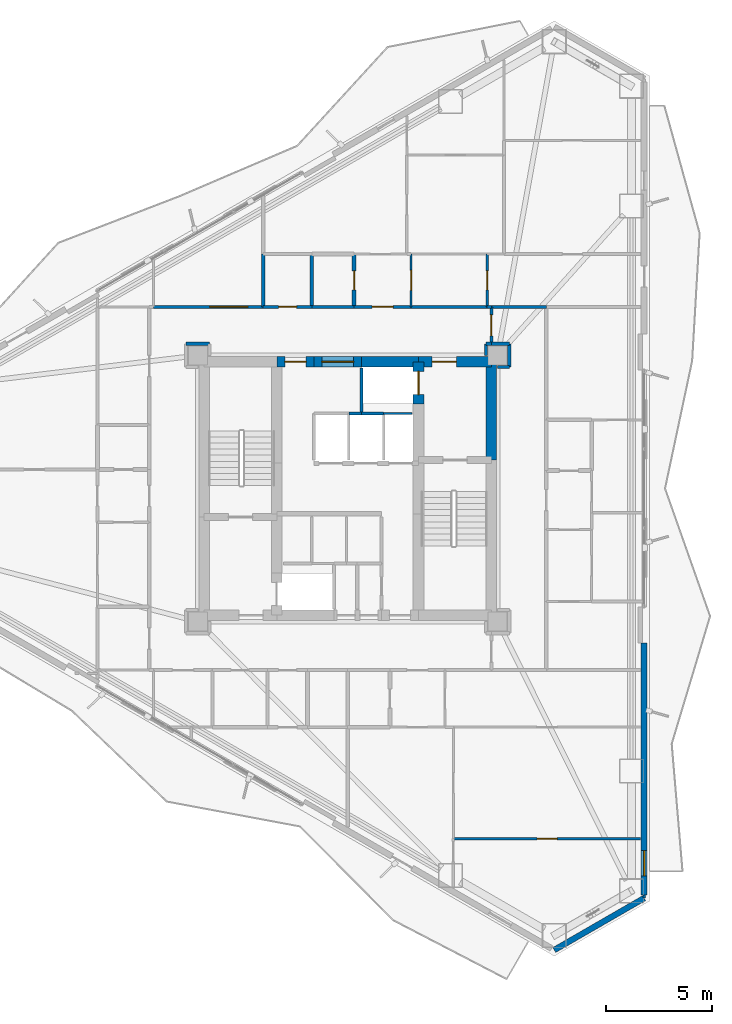
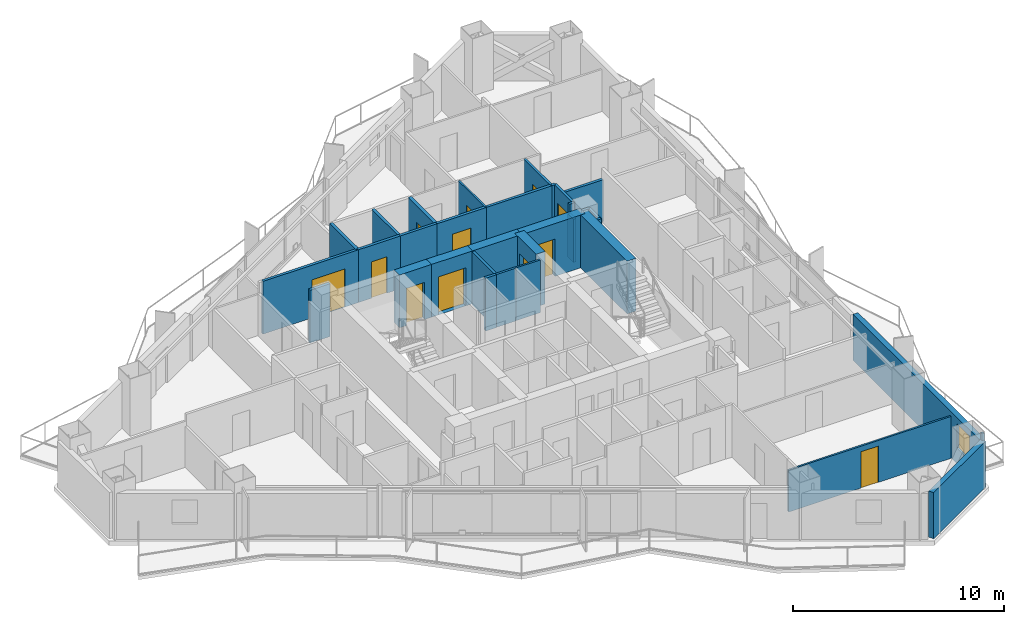
# One storey, part 18 of 23: 33 walls, 12 doors, 1 window, 13 openings.
"""IFC4 building model written with IfcOpenShell, lengths in metres."""

from ifc_helpers import new_model, si_unit, direction, frame, frame_2d, origin, place, context, subcontext, project, spatial, rectangle, extrude, material, layer, layer_set, type_object, element, fill, save


model = new_model("IFC4")

# Units and contexts
model_context = context("Model", 3, precision=1e-05, world=origin(), true_north=direction((0.0, 1.0)))
body_context = subcontext(model_context, "Body", "Model", "MODEL_VIEW")
ifc_project = project(units=[si_unit("LENGTHUNIT", "METRE"), si_unit("AREAUNIT", "SQUARE_METRE"), si_unit("VOLUMEUNIT", "CUBIC_METRE"), si_unit("PLANEANGLEUNIT", "RADIAN"), si_unit("MASSUNIT", "GRAM", prefix="KILO")], contexts=[model_context])

# Site, building, storey
site_placement = place(None, origin())
site = spatial("IfcSite", under=ifc_project, at=site_placement, CompositionType="ELEMENT")
building_placement = place(site_placement, origin())
building = spatial("IfcBuilding", under=site, at=building_placement, Name="Mersakhor Tower and Convention Hall", CompositionType="ELEMENT")
storey_placement = place(building_placement, frame((0.0, 0.0, 73.5)))
storey = spatial("IfcBuildingStorey", under=building, at=storey_placement, Name="L19", CompositionType="ELEMENT", Elevation=73.5)

# Wall
ifc_material_1 = material(Name="Precast concrete C45/55", Category="concrete")
ifc_layer_1 = layer(ifc_material_1, 0.27490234375)
ifc_layer_set_1 = layer_set([ifc_layer_1], Name="Precast concrete C45/55")
wall_type_1 = type_object("IfcWallType", Name="WL-EXT-275", PredefinedType="SOLIDWALL", material=ifc_layer_set_1)
wall_1_placement = place(storey_placement, frame((43.03466796875, 7.355712890625, 0.0), z_axis=(0.0, 0.0, 1.0), x_axis=(-0.866011848704, -0.500023477353, 0.0)))
element("IfcWall", 1, at=wall_1_placement, inside=storey, type_object=wall_type_1, Name="L19 Chamfer Braced Spandrel Wall C2", PredefinedType="SOLIDWALL", context=body_context, shape_type="SweptSolid", body=[
    extrude(rectangle(XDim=4.914306640625, YDim=0.27490234375, at=frame_2d((2.45703125, 0.0))), origin(), (0.0, 0.0, 1.0), 2.669921875),
])

# Wall, opening, window
wall_2_placement = place(storey_placement, frame((43.03466796875, 19.435302734375, 0.0), z_axis=(0.0, 0.0, 1.0), x_axis=(0.0, -1.0, 0.0)))
wall_2 = element("IfcWall", 2, at=wall_2_placement, inside=storey, type_object=wall_type_1, Name="L19 Exterior Facade Wall F2-B3", PredefinedType="SOLIDWALL", context=body_context, shape_type="SweptSolid", body=[
    extrude(rectangle(XDim=11.9296875, YDim=0.27490234375, at=frame_2d((5.96484375, 0.0))), origin(), (0.0, 0.0, 1.0), 2.669921875),
])
opening_1_placement = place(wall_2_placement, frame((9.825927734375, 0.0, 0.89990234375)))
opening_1 = element("IfcOpeningElement", 3, at=opening_1_placement, cuts=wall_2, Name="Opening W-01", PredefinedType="OPENING", context=body_context, shape_type="SweptSolid", body=[
    extrude(rectangle(XDim=1.199951171875, YDim=1.39990234375, at=frame_2d((0.60009765625, 0.699951171875))), frame((0.0, 0.1474609375, 0.0), z_axis=(0.0, -1.0, 0.0), x_axis=(1.0, 0.0, 0.0)), (0.0, 0.0, 1.0), 0.294921875),
])
ifc_material_2 = material(Name="Dark solar low-E glazed aluminium window", Category="aluminium")
window_type = type_object("IfcWindowType", Name="WN-RES-120x150", PartitioningType="SINGLE_PANEL", PredefinedType="WINDOW", material=ifc_material_2)
window_placement = place(opening_1_placement, origin())
window = element("IfcWindow", 4, at=window_placement, inside=storey, type_object=window_type, Name="L19 Bedroom Facade Window F2-B3-1", OverallHeight=1.39990234375, OverallWidth=1.199951171875, PartitioningType="SINGLE_PANEL", PredefinedType="WINDOW", context=body_context, shape_type="SweptSolid", body=[
    extrude(rectangle(XDim=1.199951171875, YDim=1.39990234375, at=frame_2d((0.60009765625, 0.699951171875))), frame((0.0, 0.030029296875, 0.0), z_axis=(0.0, -1.0, 0.0), x_axis=(1.0, 0.0, 0.0)), (0.0, 0.0, 1.0), 0.06005859375),
])
fill(opening_1, window)

# Wall, opening, door
ifc_material_3 = material(Name="Moisture-resistant acoustic drywall studwork", Category="other")
ifc_layer_2 = layer(ifc_material_3, 0.175048828125)
ifc_layer_set_2 = layer_set([ifc_layer_2], Name="Moisture-resistant acoustic drywall studwork")
wall_type_2 = type_object("IfcWallType", Name="WL-PLM-175", PredefinedType="PLUMBINGWALL", material=ifc_layer_set_2)
wall_3_placement = place(storey_placement, frame((29.300048828125, 35.35009765625, 0.0), z_axis=(0.0, 0.0, 1.0), x_axis=(0.0, 1.0, 0.0)))
wall_3 = element("IfcWall", 5, at=wall_3_placement, inside=storey, type_object=wall_type_2, Name="L19 Interior Partition Wall P-069", PredefinedType="PLUMBINGWALL", context=body_context, shape_type="SweptSolid", body=[
    extrude(rectangle(XDim=2.5, YDim=0.175048828125, at=frame_2d((1.25, 0.0))), origin(), (0.0, 0.0, 1.0), 3.050048828125),
])
opening_2_placement = place(wall_3_placement, frame((0.800048828125, 0.0, 0.0)))
opening_2 = element("IfcOpeningElement", 6, at=opening_2_placement, cuts=wall_3, Name="Opening WD-01", PredefinedType="OPENING", context=body_context, shape_type="SweptSolid", body=[
    extrude(rectangle(XDim=0.89990234375, YDim=2.10009765625, at=frame_2d((0.449951171875, 1.050048828125))), frame((0.0, 0.097412109375, 0.0), z_axis=(0.0, -1.0, 0.0), x_axis=(1.0, 0.0, 0.0)), (0.0, 0.0, 1.0), 0.195068359375),
])
ifc_material_4 = material(Name="Solid-core hardwood leaf in painted steel frame", Category="steel")
door_type_1 = type_object("IfcDoorType", Name="DR-INT-WET-090x210", OperationType="NOTDEFINED", PredefinedType="DOOR", material=ifc_material_4)
door_1_placement = place(opening_2_placement, origin())
door_1 = element("IfcDoor", 7, at=door_1_placement, inside=storey, type_object=door_type_1, Name="L19 L19 Flat N1 Apartment Hall to L19 Flat N1 Bathroom Door", OperationType="SINGLE_SWING_LEFT", OverallHeight=2.10009765625, OverallWidth=0.89990234375, PredefinedType="DOOR", context=body_context, shape_type="SweptSolid", body=[
    extrude(rectangle(XDim=0.89990234375, YDim=2.10009765625, at=frame_2d((0.449951171875, 1.050048828125))), frame((0.0, 0.02490234375, 0.0), z_axis=(0.0, -1.0, 0.0), x_axis=(1.0, 0.0, 0.0)), (0.0, 0.0, 1.0), 0.050048828125),
])
fill(opening_2, door_1)

# Walls
wall_4_placement = place(storey_placement, frame((25.0, 35.35009765625, 0.0), z_axis=(0.0, 0.0, 1.0), x_axis=(0.0, 1.0, 0.0)))
element("IfcWall", 8, at=wall_4_placement, inside=storey, type_object=wall_type_2, Name="L19 Interior Partition Wall P-082", PredefinedType="PLUMBINGWALL", context=body_context, shape_type="SweptSolid", body=[
    extrude(rectangle(XDim=2.5, YDim=0.175048828125, at=frame_2d((1.25, 0.0))), origin(), (0.0, 0.0, 1.0), 3.050048828125),
])
ifc_material_5 = material(Name="Lightweight gypsum partition", Category="other")
ifc_layer_3 = layer(ifc_material_5, 0.10009765625)
ifc_layer_set_3 = layer_set([ifc_layer_3], Name="Lightweight gypsum partition")
wall_type_3 = type_object("IfcWallType", Name="WL-PRT-100", PredefinedType="PARTITIONING", material=ifc_layer_set_3)
wall_5_placement = place(storey_placement, frame((32.050048828125, 30.300048828125, 0.0), z_axis=(0.0, 0.0, 1.0), x_axis=(-1.0, 0.0, 0.0)))
element("IfcWall", 9, at=wall_5_placement, inside=storey, type_object=wall_type_3, Name="L19 Interior Partition Wall P-004", PredefinedType="PARTITIONING", context=body_context, shape_type="SweptSolid", body=[
    extrude(rectangle(XDim=1.35009765625, YDim=0.10009765625, at=frame_2d((0.675048828125, 0.0))), origin(), (0.0, 0.0, 1.0), 3.050048828125),
])

# Wall, opening, door
wall_6_placement = place(storey_placement, frame((32.0, 37.85009765625, 0.0), z_axis=(0.0, 0.0, 1.0), x_axis=(0.0, -1.0, 0.0)))
wall_6 = element("IfcWall", 10, at=wall_6_placement, inside=storey, type_object=wall_type_3, Name="L19 Interior Partition Wall P-068", PredefinedType="PARTITIONING", context=body_context, shape_type="SweptSolid", body=[
    extrude(rectangle(XDim=2.5, YDim=0.10009765625, at=frame_2d((1.25, 0.0))), origin(), (0.0, 0.0, 1.0), 3.050048828125),
])
opening_3_placement = place(wall_6_placement, frame((0.77490234375, 0.0, 0.0)))
opening_3 = element("IfcOpeningElement", 11, at=opening_3_placement, cuts=wall_6, Name="Opening RD-01", PredefinedType="OPENING", context=body_context, shape_type="SweptSolid", body=[
    extrude(rectangle(XDim=0.949951171875, YDim=2.10009765625, at=frame_2d((0.47509765625, 1.050048828125))), frame((0.0, 0.06005859375, 0.0), z_axis=(0.0, -1.0, 0.0), x_axis=(1.0, 0.0, 0.0)), (0.0, 0.0, 1.0), 0.1201171875),
])
ifc_material_6 = material(Name="Solid-core hardwood leaf in painted steel frame", Category="steel")
door_type_2 = type_object("IfcDoorType", Name="DR-INT-RM-095x210", OperationType="NOTDEFINED", PredefinedType="DOOR", material=ifc_material_6)
door_2_placement = place(opening_3_placement, origin())
door_2 = element("IfcDoor", 12, at=door_2_placement, inside=storey, type_object=door_type_2, Name="L19 L19 Flat N1 Apartment Hall to L19 Flat N1 Kitchen Door", OperationType="SINGLE_SWING_RIGHT", OverallHeight=2.10009765625, OverallWidth=0.949951171875, PredefinedType="DOOR", context=body_context, shape_type="SweptSolid", body=[
    extrude(rectangle(XDim=0.949951171875, YDim=2.10009765625, at=frame_2d((0.47509765625, 1.050048828125))), frame((0.0, 0.02490234375, 0.0), z_axis=(0.0, -1.0, 0.0), x_axis=(1.0, 0.0, 0.0)), (0.0, 0.0, 1.0), 0.050048828125),
])
fill(opening_3, door_2)

wall_7_placement = place(storey_placement, frame((34.0, 10.169921875, 0.0), z_axis=(0.0, 0.0, 1.0), x_axis=(1.0, 0.0, 0.0)))
wall_7 = element("IfcWall", 13, at=wall_7_placement, inside=storey, type_object=wall_type_3, Name="L19 Interior Partition Wall P-130", PredefinedType="PARTITIONING", context=body_context, shape_type="SweptSolid", body=[
    extrude(rectangle(XDim=8.873046875, YDim=0.10009765625, at=frame_2d((4.4365234375, 0.0))), origin(), (0.0, 0.0, 1.0), 2.4228515625),
])
opening_4_placement = place(wall_7_placement, frame((3.961669921875, 0.0, 0.0)))
opening_4 = element("IfcOpeningElement", 14, at=opening_4_placement, cuts=wall_7, Name="Opening RD-01", PredefinedType="OPENING", context=body_context, shape_type="SweptSolid", body=[
    extrude(rectangle(XDim=0.949951171875, YDim=2.10009765625, at=frame_2d((0.47509765625, 1.050048828125))), frame((0.0, 0.06005859375, 0.0), z_axis=(0.0, -1.0, 0.0), x_axis=(1.0, 0.0, 0.0)), (0.0, 0.0, 1.0), 0.1201171875),
])
door_3_placement = place(opening_4_placement, origin())
door_3 = element("IfcDoor", 15, at=door_3_placement, inside=storey, type_object=door_type_2, Name="L19 L19 Flat S3 Bedroom 1 to L19 Flat S3 Dining Room Door", OperationType="SINGLE_SWING_LEFT", OverallHeight=2.10009765625, OverallWidth=0.949951171875, PredefinedType="DOOR", context=body_context, shape_type="SweptSolid", body=[
    extrude(rectangle(XDim=0.949951171875, YDim=2.10009765625, at=frame_2d((0.47509765625, 1.050048828125))), frame((0.0, 0.02490234375, 0.0), z_axis=(0.0, -1.0, 0.0), x_axis=(1.0, 0.0, 0.0)), (0.0, 0.0, 1.0), 0.050048828125),
])
fill(opening_4, door_3)

# Wall
ifc_material_7 = material(Name="Gypsum board acoustic partition", Category="other")
ifc_layer_4 = layer(ifc_material_7, 0.125)
ifc_layer_set_4 = layer_set([ifc_layer_4], Name="Gypsum board acoustic partition")
wall_type_4 = type_object("IfcWallType", Name="WL-PRT-125", PredefinedType="PARTITIONING", material=ifc_layer_set_4)
wall_8_placement = place(storey_placement, frame((30.699951171875, 30.300048828125, 0.0), z_axis=(0.0, 0.0, 1.0), x_axis=(-1.0, 0.0, 0.0)))
element("IfcWall", 16, at=wall_8_placement, inside=storey, type_object=wall_type_4, Name="L19 Interior Partition Wall P-005", PredefinedType="PARTITIONING", context=body_context, shape_type="SweptSolid", body=[
    extrude(rectangle(XDim=1.050048828125, YDim=0.125, at=frame_2d((0.52490234375, 0.0))), origin(), (0.0, 0.0, 1.0), 3.050048828125),
])

# Wall, opening, door
wall_9_placement = place(storey_placement, frame((35.60009765625, 37.85009765625, 0.0), z_axis=(0.0, 0.0, 1.0), x_axis=(0.0, -1.0, 0.0)))
wall_9 = element("IfcWall", 17, at=wall_9_placement, inside=storey, type_object=wall_type_4, Name="L19 Interior Partition Wall P-085", PredefinedType="PARTITIONING", context=body_context, shape_type="SweptSolid", body=[
    extrude(rectangle(XDim=2.5, YDim=0.125, at=frame_2d((1.25, 0.0))), origin(), (0.0, 0.0, 1.0), 3.050048828125),
])
opening_5_placement = place(wall_9_placement, frame((0.800048828125, 0.0, 0.0)))
opening_5 = element("IfcOpeningElement", 18, at=opening_5_placement, cuts=wall_9, Name="Opening WD-01", PredefinedType="OPENING", context=body_context, shape_type="SweptSolid", body=[
    extrude(rectangle(XDim=0.89990234375, YDim=2.10009765625, at=frame_2d((0.449951171875, 1.050048828125))), frame((0.0, 0.072509765625, 0.0), z_axis=(0.0, -1.0, 0.0), x_axis=(1.0, 0.0, 0.0)), (0.0, 0.0, 1.0), 0.14501953125),
])
door_4_placement = place(opening_5_placement, origin())
door_4 = element("IfcDoor", 19, at=door_4_placement, inside=storey, type_object=door_type_1, Name="L19 L19 Flat N1 Kitchen to L19 Flat N1 Study Room Door", OperationType="SINGLE_SWING_RIGHT", OverallHeight=2.10009765625, OverallWidth=0.89990234375, PredefinedType="DOOR", context=body_context, shape_type="SweptSolid", body=[
    extrude(rectangle(XDim=0.89990234375, YDim=2.10009765625, at=frame_2d((0.449951171875, 1.050048828125))), frame((0.0, 0.02490234375, 0.0), z_axis=(0.0, -1.0, 0.0), x_axis=(1.0, 0.0, 0.0)), (0.0, 0.0, 1.0), 0.050048828125),
])
fill(opening_5, door_4)

# Walls
wall_10_placement = place(storey_placement, frame((43.034912109375, 7.505615234375, 0.0), z_axis=(0.0, 0.0, 1.0), x_axis=(0.0, -1.0, 0.0)))
element("IfcWall", 20, at=wall_10_placement, inside=storey, type_object=wall_type_4, Name="L19 Interior Partition Wall P-131", PredefinedType="PARTITIONING", context=body_context, shape_type="SweptSolid", body=[
    extrude(rectangle(XDim=0.149658203125, YDim=0.125, at=frame_2d((0.07470703125, 0.0))), origin(), (0.0, 0.0, 1.0), 3.050048828125),
])
ifc_material_8 = material(Name="Fire-rated gypsum board stud partition", Category="other")
ifc_layer_5 = layer(ifc_material_8, 0.14990234375)
ifc_layer_set_5 = layer_set([ifc_layer_5], Name="Fire-rated gypsum board stud partition")
wall_type_5 = type_object("IfcWallType", Name="WL-PRT-150", PredefinedType="PARTITIONING", material=ifc_layer_set_5)
wall_11_placement = place(storey_placement, frame((29.64990234375, 30.300048828125, 0.0), z_axis=(0.0, 0.0, 1.0), x_axis=(0.0, 1.0, 0.0)))
element("IfcWall", 21, at=wall_11_placement, inside=storey, type_object=wall_type_5, Name="L19 Interior Partition Wall P-006", PredefinedType="PARTITIONING", context=body_context, shape_type="SweptSolid", body=[
    extrude(rectangle(XDim=2.14990234375, YDim=0.14990234375, at=frame_2d((1.074951171875, 0.0))), origin(), (0.0, 0.0, 1.0), 3.050048828125),
])
wall_12_placement = place(storey_placement, frame((29.050048828125, 30.300048828125, 0.0), z_axis=(0.0, 0.0, 1.0), x_axis=(1.0, 0.0, 0.0)))
element("IfcWall", 22, at=wall_12_placement, inside=storey, type_object=wall_type_5, Name="L19 Interior Partition Wall P-016", PredefinedType="PARTITIONING", context=body_context, shape_type="SweptSolid", body=[
    extrude(rectangle(XDim=0.599853515625, YDim=0.14990234375, at=frame_2d((0.2998046875, 0.0))), origin(), (0.0, 0.0, 1.0), 3.050048828125),
])

# Wall, opening, door
wall_13_placement = place(storey_placement, frame((19.800048828125, 35.35009765625, 0.0), z_axis=(0.0, 0.0, 1.0), x_axis=(1.0, 0.0, 0.0)))
wall_13 = element("IfcWall", 23, at=wall_13_placement, inside=storey, type_object=wall_type_5, Name="L19 Interior Partition Wall P-038", PredefinedType="PARTITIONING", context=body_context, shape_type="SweptSolid", body=[
    extrude(rectangle(XDim=5.199951171875, YDim=0.14990234375, at=frame_2d((2.60009765625, 0.0))), origin(), (0.0, 0.0, 1.0), 3.050048828125),
])
opening_6_placement = place(wall_13_placement, frame((2.672119140625, 0.0, 0.0)))
opening_6 = element("IfcOpeningElement", 24, at=opening_6_placement, cuts=wall_13, Name="Opening HD-01", PredefinedType="OPENING", context=body_context, shape_type="SweptSolid", body=[
    extrude(rectangle(XDim=1.800048828125, YDim=2.199951171875, at=frame_2d((0.89990234375, 1.10009765625))), frame((0.0, 0.0849609375, 0.0), z_axis=(0.0, -1.0, 0.0), x_axis=(1.0, 0.0, 0.0)), (0.0, 0.0, 1.0), 0.169921875),
])
ifc_material_9 = material(Name="Fire-rated hardwood leaf and painted steel frame", Category="steel")
door_type_3 = type_object("IfcDoorType", Name="DR-INT-HALL-180x220", OperationType="NOTDEFINED", PredefinedType="DOOR", material=ifc_material_9)
door_5_placement = place(opening_6_placement, origin())
door_5 = element("IfcDoor", 25, at=door_5_placement, inside=storey, type_object=door_type_3, Name="L19 Residential Ring Corridor to L19 North Floor Residents Meeting Room Door", OperationType="DOUBLE_DOOR_SINGLE_SWING", OverallHeight=2.199951171875, OverallWidth=1.800048828125, PredefinedType="DOOR", context=body_context, shape_type="SweptSolid", body=[
    extrude(rectangle(XDim=1.800048828125, YDim=2.199951171875, at=frame_2d((0.89990234375, 1.10009765625))), frame((0.0, 0.02490234375, 0.0), z_axis=(0.0, -1.0, 0.0), x_axis=(1.0, 0.0, 0.0)), (0.0, 0.0, 1.0), 0.050048828125),
])
fill(opening_6, door_5)

wall_14_placement = place(storey_placement, frame((25.0, 35.35009765625, 0.0), z_axis=(0.0, 0.0, 1.0), x_axis=(1.0, 0.0, 0.0)))
wall_14 = element("IfcWall", 26, at=wall_14_placement, inside=storey, type_object=wall_type_5, Name="L19 Interior Partition Wall P-039", PredefinedType="PARTITIONING", context=body_context, shape_type="SweptSolid", body=[
    extrude(rectangle(XDim=2.300048828125, YDim=0.14990234375, at=frame_2d((1.14990234375, 0.0))), origin(), (0.0, 0.0, 1.0), 3.050048828125),
])
opening_7_placement = place(wall_14_placement, frame((0.72509765625, 0.0, 0.0)))
opening_7 = element("IfcOpeningElement", 27, at=opening_7_placement, cuts=wall_14, Name="Opening SVD-01", PredefinedType="OPENING", context=body_context, shape_type="SweptSolid", body=[
    extrude(rectangle(XDim=0.85009765625, YDim=2.10009765625, at=frame_2d((0.425048828125, 1.050048828125))), frame((0.0, 0.0849609375, 0.0), z_axis=(0.0, -1.0, 0.0), x_axis=(1.0, 0.0, 0.0)), (0.0, 0.0, 1.0), 0.169921875),
])
ifc_material_10 = material(Name="Fire-rated hardwood leaf and painted steel frame", Category="steel")
door_type_4 = type_object("IfcDoorType", Name="DR-INT-SVC-085x210", OperationType="NOTDEFINED", PredefinedType="DOOR", material=ifc_material_10)
door_6_placement = place(opening_7_placement, origin())
door_6 = element("IfcDoor", 28, at=door_6_placement, inside=storey, type_object=door_type_4, Name="L19 Residential Ring Corridor to L19 North Floor Accessible Toilet WC Door", OperationType="SINGLE_SWING_LEFT", OverallHeight=2.10009765625, OverallWidth=0.85009765625, PredefinedType="DOOR", context=body_context, shape_type="SweptSolid", body=[
    extrude(rectangle(XDim=0.85009765625, YDim=2.10009765625, at=frame_2d((0.425048828125, 1.050048828125))), frame((0.0, 0.02490234375, 0.0), z_axis=(0.0, -1.0, 0.0), x_axis=(1.0, 0.0, 0.0)), (0.0, 0.0, 1.0), 0.050048828125),
])
fill(opening_7, door_6)

# Wall
wall_15_placement = place(storey_placement, frame((27.300048828125, 35.35009765625, 0.0), z_axis=(0.0, 0.0, 1.0), x_axis=(1.0, 0.0, 0.0)))
element("IfcWall", 29, at=wall_15_placement, inside=storey, type_object=wall_type_5, Name="L19 Interior Partition Wall P-040", PredefinedType="PARTITIONING", context=body_context, shape_type="SweptSolid", body=[
    extrude(rectangle(XDim=2.0, YDim=0.14990234375, at=frame_2d((1.0, 0.0))), origin(), (0.0, 0.0, 1.0), 3.050048828125),
])

# Wall, opening, door
wall_16_placement = place(storey_placement, frame((29.300048828125, 35.35009765625, 0.0), z_axis=(0.0, 0.0, 1.0), x_axis=(1.0, 0.0, 0.0)))
wall_16 = element("IfcWall", 30, at=wall_16_placement, inside=storey, type_object=wall_type_5, Name="L19 Interior Partition Wall P-041", PredefinedType="PARTITIONING", context=body_context, shape_type="SweptSolid", body=[
    extrude(rectangle(XDim=2.699951171875, YDim=0.14990234375, at=frame_2d((1.35009765625, 0.0))), origin(), (0.0, 0.0, 1.0), 3.050048828125),
])
opening_8_placement = place(wall_16_placement, frame((0.85009765625, 0.0, 0.0)))
opening_8 = element("IfcOpeningElement", 31, at=opening_8_placement, cuts=wall_16, Name="Opening FD-01", PredefinedType="OPENING", context=body_context, shape_type="SweptSolid", body=[
    extrude(rectangle(XDim=1.0, YDim=2.14990234375, at=frame_2d((0.5, 1.074951171875))), frame((0.0, 0.0849609375, 0.0), z_axis=(0.0, -1.0, 0.0), x_axis=(1.0, 0.0, 0.0)), (0.0, 0.0, 1.0), 0.169921875),
])
ifc_material_11 = material(Name="Fire-rated hardwood leaf and painted steel frame", Category="steel")
door_type_5 = type_object("IfcDoorType", Name="DR-INT-FLT-100x215", OperationType="NOTDEFINED", PredefinedType="DOOR", material=ifc_material_11)
door_7_placement = place(opening_8_placement, origin())
door_7 = element("IfcDoor", 32, at=door_7_placement, inside=storey, type_object=door_type_5, Name="L19 Apartment Entrance Door (Residential Ring Corridor to L19 Flat N1 Apartment Hall)", OperationType="SINGLE_SWING_RIGHT", OverallHeight=2.14990234375, OverallWidth=1.0, PredefinedType="DOOR", context=body_context, shape_type="SweptSolid", body=[
    extrude(rectangle(XDim=1.0, YDim=2.14990234375, at=frame_2d((0.5, 1.074951171875))), frame((0.0, 0.02490234375, 0.0), z_axis=(0.0, -1.0, 0.0), x_axis=(1.0, 0.0, 0.0)), (0.0, 0.0, 1.0), 0.050048828125),
])
fill(opening_8, door_7)

# Walls
wall_17_placement = place(storey_placement, frame((32.0, 35.35009765625, 0.0), z_axis=(0.0, 0.0, 1.0), x_axis=(1.0, 0.0, 0.0)))
element("IfcWall", 33, at=wall_17_placement, inside=storey, type_object=wall_type_5, Name="L19 Interior Partition Wall P-042", PredefinedType="PARTITIONING", context=body_context, shape_type="SweptSolid", body=[
    extrude(rectangle(XDim=3.60009765625, YDim=0.14990234375, at=frame_2d((1.800048828125, 0.0))), origin(), (0.0, 0.0, 1.0), 3.050048828125),
])
wall_18_placement = place(storey_placement, frame((35.60009765625, 35.35009765625, 0.0), z_axis=(0.0, 0.0, 1.0), x_axis=(1.0, 0.0, 0.0)))
element("IfcWall", 34, at=wall_18_placement, inside=storey, type_object=wall_type_5, Name="L19 Interior Partition Wall P-043", PredefinedType="PARTITIONING", context=body_context, shape_type="SweptSolid", body=[
    extrude(rectangle(XDim=0.199951171875, YDim=0.14990234375, at=frame_2d((0.10009765625, 0.0))), origin(), (0.0, 0.0, 1.0), 3.050048828125),
])

# Wall, opening, door
wall_19_placement = place(storey_placement, frame((35.800048828125, 35.35009765625, 0.0), z_axis=(0.0, 0.0, 1.0), x_axis=(0.0, -1.0, 0.0)))
wall_19 = element("IfcWall", 35, at=wall_19_placement, inside=storey, type_object=wall_type_5, Name="L19 Interior Partition Wall P-044", PredefinedType="PARTITIONING", context=body_context, shape_type="SweptSolid", body=[
    extrude(rectangle(XDim=1.75, YDim=0.14990234375, at=frame_2d((0.875, 0.0))), origin(), (0.0, 0.0, 1.0), 3.050048828125),
])
opening_9_placement = place(wall_19_placement, frame((0.375, 0.0, 0.0)))
opening_9 = element("IfcOpeningElement", 36, at=opening_9_placement, cuts=wall_19, Name="Opening FD-01", PredefinedType="OPENING", context=body_context, shape_type="SweptSolid", body=[
    extrude(rectangle(XDim=1.0, YDim=2.14990234375, at=frame_2d((0.5, 1.074951171875))), frame((0.0, 0.0849609375, 0.0), z_axis=(0.0, -1.0, 0.0), x_axis=(1.0, 0.0, 0.0)), (0.0, 0.0, 1.0), 0.169921875),
])
door_8_placement = place(opening_9_placement, origin())
door_8 = element("IfcDoor", 37, at=door_8_placement, inside=storey, type_object=door_type_5, Name="L19 Ring Corridor Fire Door", OperationType="SINGLE_SWING_LEFT", OverallHeight=2.14990234375, OverallWidth=1.0, PredefinedType="DOOR", context=body_context, shape_type="SweptSolid", body=[
    extrude(rectangle(XDim=1.0, YDim=2.14990234375, at=frame_2d((0.5, 1.074951171875))), frame((0.0, 0.02490234375, 0.0), z_axis=(0.0, -1.0, 0.0), x_axis=(1.0, 0.0, 0.0)), (0.0, 0.0, 1.0), 0.050048828125),
])
fill(opening_9, door_8)

# Walls
wall_20_placement = place(storey_placement, frame((35.800048828125, 33.60009765625, 0.0), z_axis=(0.0, 0.0, 1.0), x_axis=(-1.0, 0.0, 0.0)))
element("IfcWall", 38, at=wall_20_placement, inside=storey, type_object=wall_type_5, Name="L19 Interior Partition Wall P-045", PredefinedType="PARTITIONING", context=body_context, shape_type="SweptSolid", body=[
    extrude(rectangle(XDim=0.25, YDim=0.14990234375, at=frame_2d((0.125, 0.0))), origin(), (0.0, 0.0, 1.0), 3.050048828125),
])
wall_21_placement = place(storey_placement, frame((35.550048828125, 33.60009765625, 0.0), z_axis=(0.0, 0.0, 1.0), x_axis=(0.0, -1.0, 0.0)))
element("IfcWall", 39, at=wall_21_placement, inside=storey, type_object=wall_type_5, Name="L19 Interior Partition Wall P-046", PredefinedType="PARTITIONING", context=body_context, shape_type="SweptSolid", body=[
    extrude(rectangle(XDim=0.550048828125, YDim=0.14990234375, at=frame_2d((0.27490234375, 0.0))), origin(), (0.0, 0.0, 1.0), 2.498291015625),
])
wall_22_placement = place(storey_placement, frame((22.449951171875, 33.60009765625, 0.0), z_axis=(0.0, 0.0, 1.0), x_axis=(-1.0, 0.0, 0.0)))
element("IfcWall", 40, at=wall_22_placement, inside=storey, type_object=wall_type_5, Name="L19 Interior Partition Wall P-048", PredefinedType="PARTITIONING", context=body_context, shape_type="SweptSolid", body=[
    extrude(rectangle(XDim=1.099853515625, YDim=0.14990234375, at=frame_2d((0.5498046875, 0.0))), origin(), (0.0, 0.0, 1.0), 3.050048828125),
])
wall_23_placement = place(storey_placement, frame((36.10009765625, 32.5, 0.0), z_axis=(0.0, 0.0, 1.0), x_axis=(1.0, 0.0, 0.0)))
element("IfcWall", 41, at=wall_23_placement, inside=storey, type_object=wall_type_5, Name="L19 Interior Partition Wall P-054", PredefinedType="PARTITIONING", context=body_context, shape_type="SweptSolid", body=[
    extrude(rectangle(XDim=0.5498046875, YDim=0.14990234375, at=frame_2d((0.27490234375, 0.0))), origin(), (0.0, 0.0, 1.0), 2.498291015625),
])
wall_24_placement = place(storey_placement, frame((36.64990234375, 32.5, 0.0), z_axis=(0.0, 0.0, 1.0), x_axis=(0.0, 1.0, 0.0)))
element("IfcWall", 42, at=wall_24_placement, inside=storey, type_object=wall_type_5, Name="L19 Interior Partition Wall P-055", PredefinedType="PARTITIONING", context=body_context, shape_type="SweptSolid", body=[
    extrude(rectangle(XDim=1.10009765625, YDim=0.14990234375, at=frame_2d((0.550048828125, 0.0))), origin(), (0.0, 0.0, 1.0), 2.4228515625),
])
wall_25_placement = place(storey_placement, frame((36.64990234375, 33.60009765625, 0.0), z_axis=(0.0, 0.0, 1.0), x_axis=(-1.0, 0.0, 0.0)))
element("IfcWall", 43, at=wall_25_placement, inside=storey, type_object=wall_type_5, Name="L19 Interior Partition Wall P-056", PredefinedType="PARTITIONING", context=body_context, shape_type="SweptSolid", body=[
    extrude(rectangle(XDim=0.849853515625, YDim=0.14990234375, at=frame_2d((0.4248046875, 0.0))), origin(), (0.0, 0.0, 1.0), 2.4228515625),
])
wall_26_placement = place(storey_placement, frame((35.800048828125, 35.35009765625, 0.0), z_axis=(0.0, 0.0, 1.0), x_axis=(1.0, 0.0, 0.0)))
element("IfcWall", 44, at=wall_26_placement, inside=storey, type_object=wall_type_5, Name="L19 Interior Partition Wall P-057", PredefinedType="PARTITIONING", context=body_context, shape_type="SweptSolid", body=[
    extrude(rectangle(XDim=2.599853515625, YDim=0.14990234375, at=frame_2d((1.2998046875, 0.0))), origin(), (0.0, 0.0, 1.0), 2.4228515625),
])
wall_27_placement = place(storey_placement, frame((27.300048828125, 37.85009765625, 0.0), z_axis=(0.0, 0.0, 1.0), x_axis=(0.0, -1.0, 0.0)))
element("IfcWall", 45, at=wall_27_placement, inside=storey, type_object=wall_type_5, Name="L19 Interior Partition Wall P-081", PredefinedType="PARTITIONING", context=body_context, shape_type="SweptSolid", body=[
    extrude(rectangle(XDim=2.5, YDim=0.14990234375, at=frame_2d((1.25, 0.0))), origin(), (0.0, 0.0, 1.0), 3.050048828125),
])

# Wall, opening, door
ifc_material_12 = material(Name="Concrete C70/85", Category="concrete")
ifc_layer_6 = layer(ifc_material_12, 0.5)
ifc_layer_set_6 = layer_set([ifc_layer_6], Name="Concrete C70/85")
wall_type_6 = type_object("IfcWallType", Name="WL-SHR-500", PredefinedType="SHEAR", material=ifc_layer_set_6)
wall_28_placement = place(storey_placement, frame((25.64990234375, 32.75, 0.0), z_axis=(0.0, 0.0, 1.0), x_axis=(1.0, 0.0, 0.0)))
wall_28 = element("IfcWall", 46, at=wall_28_placement, inside=storey, type_object=wall_type_6, Name="L19 Core Wall CW-N2A", PredefinedType="SHEAR", context=body_context, shape_type="SweptSolid", body=[
    extrude(rectangle(XDim=1.75, YDim=0.5, at=frame_2d((0.875, 0.0))), origin(), (0.0, 0.0, 1.0), 3.050048828125),
])
opening_10_placement = place(wall_28_placement, frame((0.375, 0.0, 0.0)))
opening_10 = element("IfcOpeningElement", 47, at=opening_10_placement, cuts=wall_28, Name="Opening CFD-01", PredefinedType="OPENING", context=body_context, shape_type="SweptSolid", body=[
    extrude(rectangle(XDim=1.0, YDim=2.14990234375, at=frame_2d((0.5, 1.074951171875))), frame((0.0, 0.260009765625, 0.0), z_axis=(0.0, -1.0, 0.0), x_axis=(1.0, 0.0, 0.0)), (0.0, 0.0, 1.0), 0.52001953125),
])
ifc_material_13 = material(Name="Fire-rated hardwood leaf and painted steel frame", Category="steel")
door_type_6 = type_object("IfcDoorType", Name="DR-CORE-FD-100x215", OperationType="NOTDEFINED", PredefinedType="DOOR", material=ifc_material_13)
door_9_placement = place(opening_10_placement, origin())
door_9 = element("IfcDoor", 48, at=door_9_placement, inside=storey, type_object=door_type_6, Name="L19 Lift Lobby North Corridor Door", OperationType="SINGLE_SWING_LEFT", OverallHeight=2.14990234375, OverallWidth=1.0, PredefinedType="DOOR", context=body_context, shape_type="SweptSolid", body=[
    extrude(rectangle(XDim=1.0, YDim=2.14990234375, at=frame_2d((0.5, 1.074951171875))), frame((0.0, 0.02490234375, 0.0), z_axis=(0.0, -1.0, 0.0), x_axis=(1.0, 0.0, 0.0)), (0.0, 0.0, 1.0), 0.050048828125),
])
fill(opening_10, door_9)

wall_29_placement = place(storey_placement, frame((27.39990234375, 32.75, 0.0), z_axis=(0.0, 0.0, 1.0), x_axis=(1.0, 0.0, 0.0)))
wall_29 = element("IfcWall", 49, at=wall_29_placement, inside=storey, type_object=wall_type_6, Name="L19 Core Wall CW-N2B", PredefinedType="SHEAR", context=body_context, shape_type="SweptSolid", body=[
    extrude(rectangle(XDim=2.25, YDim=0.5, at=frame_2d((1.125, 0.0))), origin(), (0.0, 0.0, 1.0), 3.050048828125),
])
opening_11_placement = place(wall_29_placement, frame((0.375, 0.0, 0.0)))
opening_11 = element("IfcOpeningElement", 50, at=opening_11_placement, cuts=wall_29, Name="Opening LD-LOB", PredefinedType="OPENING", context=body_context, shape_type="SweptSolid", body=[
    extrude(rectangle(XDim=1.5, YDim=2.199951171875, at=frame_2d((0.75, 1.10009765625))), frame((0.0, 0.260009765625, 0.0), z_axis=(0.0, -1.0, 0.0), x_axis=(1.0, 0.0, 0.0)), (0.0, 0.0, 1.0), 0.52001953125),
])
ifc_material_14 = material(Name="Fire-rated hardwood leaf and painted steel frame", Category="steel")
door_type_7 = type_object("IfcDoorType", Name="DR-INT-LOB-150x220", OperationType="NOTDEFINED", PredefinedType="DOOR", material=ifc_material_14)
door_10_placement = place(opening_11_placement, origin())
door_10 = element("IfcDoor", 51, at=door_10_placement, inside=storey, type_object=door_type_7, Name="L19 Central Passenger Lift Lobby to Residential Ring Corridor Door", OperationType="DOUBLE_DOOR_SINGLE_SWING", OverallHeight=2.199951171875, OverallWidth=1.5, PredefinedType="DOOR", context=body_context, shape_type="SweptSolid", body=[
    extrude(rectangle(XDim=1.5, YDim=2.199951171875, at=frame_2d((0.75, 1.10009765625))), frame((0.0, 0.02490234375, 0.0), z_axis=(0.0, -1.0, 0.0), x_axis=(1.0, 0.0, 0.0)), (0.0, 0.0, 1.0), 0.050048828125),
])
fill(opening_11, door_10)

# Wall
wall_30_placement = place(storey_placement, frame((29.64990234375, 32.75, 0.0), z_axis=(0.0, 0.0, 1.0), x_axis=(1.0, 0.0, 0.0)))
element("IfcWall", 52, at=wall_30_placement, inside=storey, type_object=wall_type_6, Name="L19 Core Wall CW-N3", PredefinedType="SHEAR", context=body_context, shape_type="SweptSolid", body=[
    extrude(rectangle(XDim=2.7001953125, YDim=0.5, at=frame_2d((1.35009765625, 0.0))), origin(), (0.0, 0.0, 1.0), 3.050048828125),
])

# Wall, opening, door
wall_31_placement = place(storey_placement, frame((32.35009765625, 32.75, 0.0), z_axis=(0.0, 0.0, 1.0), x_axis=(1.0, 0.0, 0.0)))
wall_31 = element("IfcWall", 53, at=wall_31_placement, inside=storey, type_object=wall_type_6, Name="L19 Core Wall CW-N4", PredefinedType="SHEAR", context=body_context, shape_type="SweptSolid", body=[
    extrude(rectangle(XDim=3.449951171875, YDim=0.5, at=frame_2d((1.72509765625, 0.0))), origin(), (0.0, 0.0, 1.0), 3.050048828125),
])
opening_12_placement = place(wall_31_placement, frame((0.64990234375, 0.0, 0.0)))
opening_12 = element("IfcOpeningElement", 54, at=opening_12_placement, cuts=wall_31, Name="Opening SD-01", PredefinedType="OPENING", context=body_context, shape_type="SweptSolid", body=[
    extrude(rectangle(XDim=1.14990234375, YDim=2.14990234375, at=frame_2d((0.574951171875, 1.074951171875))), frame((0.0, 0.260009765625, 0.0), z_axis=(0.0, -1.0, 0.0), x_axis=(1.0, 0.0, 0.0)), (0.0, 0.0, 1.0), 0.52001953125),
])
ifc_material_15 = material(Name="Fire-rated hardwood leaf and painted steel frame", Category="steel")
door_type_8 = type_object("IfcDoorType", Name="DR-INT-STAIR-115x215", OperationType="NOTDEFINED", PredefinedType="DOOR", material=ifc_material_15)
door_11_placement = place(opening_12_placement, origin())
door_11 = element("IfcDoor", 55, at=door_11_placement, inside=storey, type_object=door_type_8, Name="L19 Firefighting Lobby East Fire Door", OperationType="SINGLE_SWING_RIGHT", OverallHeight=2.14990234375, OverallWidth=1.14990234375, PredefinedType="DOOR", context=body_context, shape_type="SweptSolid", body=[
    extrude(rectangle(XDim=1.14990234375, YDim=2.14990234375, at=frame_2d((0.574951171875, 1.074951171875))), frame((0.0, 0.02490234375, 0.0), z_axis=(0.0, -1.0, 0.0), x_axis=(1.0, 0.0, 0.0)), (0.0, 0.0, 1.0), 0.050048828125),
])
fill(opening_12, door_11)

# Wall
wall_32_placement = place(storey_placement, frame((35.800048828125, 32.75, 0.0), z_axis=(0.0, 0.0, 1.0), x_axis=(0.0, -1.0, 0.0)))
element("IfcWall", 56, at=wall_32_placement, inside=storey, type_object=wall_type_6, Name="L19 Core Wall CW-E1", PredefinedType="SHEAR", context=body_context, shape_type="SweptSolid", body=[
    extrude(rectangle(XDim=4.64990234375, YDim=0.5, at=frame_2d((2.324951171875, 0.0))), origin(), (0.0, 0.0, 1.0), 3.050048828125),
])

# Wall, opening, door
wall_33_placement = place(storey_placement, frame((32.35009765625, 30.75, 0.0), z_axis=(0.0, 0.0, 1.0), x_axis=(0.0, 1.0, 0.0)))
wall_33 = element("IfcWall", 57, at=wall_33_placement, inside=storey, type_object=wall_type_6, Name="L19 Core Wall CS-E-FFL", PredefinedType="SHEAR", context=body_context, shape_type="SweptSolid", body=[
    extrude(rectangle(XDim=2.0, YDim=0.5, at=frame_2d((1.0, 0.0))), origin(), (0.0, 0.0, 1.0), 3.050048828125),
])
opening_13_placement = place(wall_33_placement, frame((0.449951171875, 0.0, 0.0)))
opening_13 = element("IfcOpeningElement", 58, at=opening_13_placement, cuts=wall_33, Name="Opening LD-FFL2", PredefinedType="OPENING", context=body_context, shape_type="SweptSolid", body=[
    extrude(rectangle(XDim=1.10009765625, YDim=2.14990234375, at=frame_2d((0.550048828125, 1.074951171875))), frame((0.0, 0.260009765625, 0.0), z_axis=(0.0, -1.0, 0.0), x_axis=(1.0, 0.0, 0.0)), (0.0, 0.0, 1.0), 0.52001953125),
])
ifc_material_16 = material(Name="Fire-rated brushed stainless steel sliding landing door", Category="steel")
door_type_9 = type_object("IfcDoorType", Name="DR-LIFT-SLD-110x215", OperationType="NOTDEFINED", PredefinedType="DOOR", material=ifc_material_16)
door_12_placement = place(opening_13_placement, origin())
door_12 = element("IfcDoor", 59, at=door_12_placement, inside=storey, type_object=door_type_9, Name="L19 Firefighting Lift Landing Door LD-FFL2", OperationType="SLIDING_TO_LEFT", OverallHeight=2.14990234375, OverallWidth=1.10009765625, PredefinedType="DOOR", context=body_context, shape_type="SweptSolid", body=[
    extrude(rectangle(XDim=1.10009765625, YDim=2.14990234375, at=frame_2d((0.550048828125, 1.074951171875))), frame((0.0, 0.02490234375, 0.0), z_axis=(0.0, -1.0, 0.0), x_axis=(1.0, 0.0, 0.0)), (0.0, 0.0, 1.0), 0.050048828125),
])
fill(opening_13, door_12)

save(model, "model.ifc")
